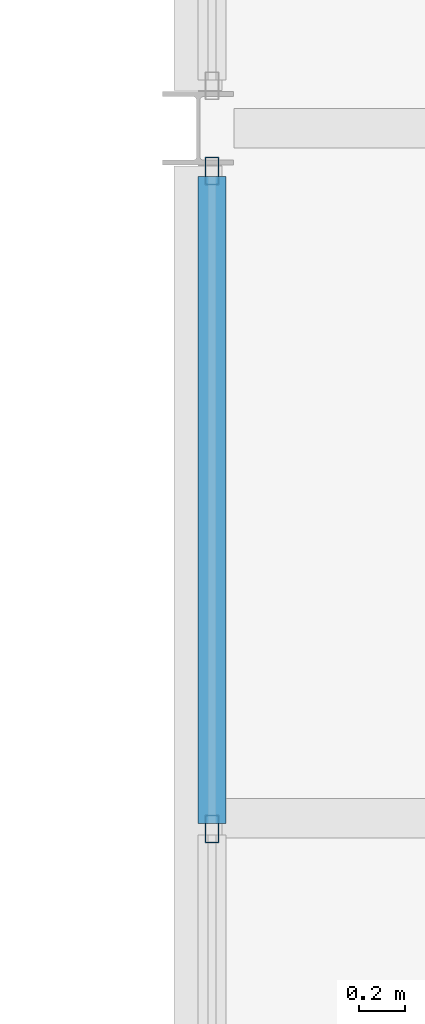
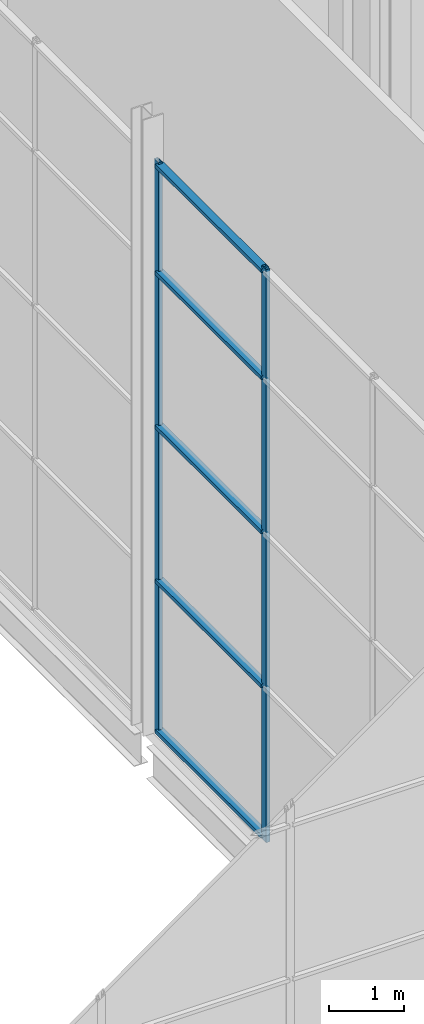
# One storey, part 54 of 111: 7 members, 1 element without a shape of its own.
"""IFC4 building model written with IfcOpenShell, lengths in metres."""

from ifc_helpers import new_model, si_unit, direction, frame, origin, origin_2d, place, context, subcontext, project, spatial, hollow_rectangle, extrude, material, layer, layer_set, material_profile, profile_set, type_object, element, aggregate, save


model = new_model("IFC4")

# Units and contexts
model_context = context("Model", 3, precision=1e-05, world=origin(), true_north=direction((0.0, 1.0)))
body_context = subcontext(model_context, "Body", "Model", "MODEL_VIEW")
ifc_project = project(units=[si_unit("LENGTHUNIT", "METRE"), si_unit("AREAUNIT", "SQUARE_METRE"), si_unit("VOLUMEUNIT", "CUBIC_METRE"), si_unit("PLANEANGLEUNIT", "RADIAN"), si_unit("MASSUNIT", "GRAM", prefix="KILO")], contexts=[model_context])

# Site, building, storey
site_placement = place(None, origin())
site = spatial("IfcSite", under=ifc_project, at=site_placement, CompositionType="ELEMENT")
building_placement = place(site_placement, origin())
building = spatial("IfcBuilding", under=site, at=building_placement, Name="Shorebreak Coast Museum", CompositionType="ELEMENT")
storey_placement = place(building_placement, frame((0.0, 0.0, 16.0)))
storey = spatial("IfcBuildingStorey", under=building, at=storey_placement, Name="L03", CompositionType="ELEMENT", Elevation=16.0)

# Curtain wall, members
ifc_material_1 = material(Name="Aluminium", Category="aluminium")
ifc_layer = layer(ifc_material_1, 0.1201171875)
ifc_layer_set = layer_set([ifc_layer], Name="Aluminium")
curtain_wall_type = type_object("IfcCurtainWallType", Name="Atrium fire screen", PredefinedType="NOTDEFINED", material=ifc_layer_set)
curtain_wall_placement = place(storey_placement, origin())
curtain_wall = element("IfcCurtainWall", 1, at=curtain_wall_placement, inside=storey, type_object=curtain_wall_type, Name="Atrium screen L03 E 47", PredefinedType="NOTDEFINED")
ifc_material_2 = material(Name="Aluminium", Category="aluminium")
ifc_material_profile_1 = material_profile(ifc_material_2, hollow_rectangle(XDim=0.06005859375, YDim=0.1201171875, WallThickness=0.00341796875, at=origin_2d()), Name="AL 120x60 RHS")
ifc_profile_set_1 = profile_set([ifc_material_profile_1], Name="Aluminium")
member_type_1 = type_object("IfcMemberType", Name="Screen mullion 50 x 120", PredefinedType="MULLION", material=ifc_profile_set_1)
member_1_placement = place(storey_placement, frame((108.06005859375, 68.95263671875, 0.0), z_axis=(0.0, 0.0, 1.0), x_axis=(-1.0, 0.0, 0.0)))
member_1 = element("IfcMember", 2, at=member_1_placement, type_object=member_type_1, Name="CW6 mullion 3", PredefinedType="MULLION", context=body_context, shape_type="SweptSolid", body=[
    extrude(hollow_rectangle(XDim=0.06005859375, YDim=0.1201171875, WallThickness=0.00341796875, at=origin_2d()), origin(), (0.0, 0.0, 1.0), 9.296875),
])
member_2_placement = place(storey_placement, frame((108.06005859375, 71.814697265625, 0.0), z_axis=(0.0, 0.0, 1.0), x_axis=(-1.0, 0.0, 0.0)))
member_2 = element("IfcMember", 3, at=member_2_placement, type_object=member_type_1, Name="CW6 mullion 4", PredefinedType="MULLION", context=body_context, shape_type="SweptSolid", body=[
    extrude(hollow_rectangle(XDim=0.06005859375, YDim=0.1201171875, WallThickness=0.00341796875, at=origin_2d()), origin(), (0.0, 0.0, 1.0), 9.296875),
])
ifc_material_3 = material(Name="Aluminium", Category="aluminium")
ifc_material_profile_2 = material_profile(ifc_material_3, hollow_rectangle(XDim=0.1201171875, YDim=0.06005859375, WallThickness=0.00341796875, at=origin_2d()), Name="AL 60x120 RHS")
ifc_profile_set_2 = profile_set([ifc_material_profile_2], Name="Aluminium")
member_type_2 = type_object("IfcMemberType", Name="Screen transom 120 x 50", PredefinedType="USERDEFINED", material=ifc_profile_set_2)
member_3_placement = place(storey_placement, frame((108.06005859375, 68.9775390625, 0.06005859375), z_axis=(0.0, 1.0, 0.0), x_axis=(-1.0, 0.0, 0.0)))
member_3 = element("IfcMember", 4, at=member_3_placement, type_object=member_type_2, Name="CW6 transom 3.1", ObjectType="TRANSOM", PredefinedType="USERDEFINED", context=body_context, shape_type="SweptSolid", body=[
    extrude(hollow_rectangle(XDim=0.1201171875, YDim=0.06005859375, WallThickness=0.00341796875, at=origin_2d()), origin(), (0.0, 0.0, 1.0), 2.812255859375),
])
member_4_placement = place(storey_placement, frame((108.06005859375, 68.9775390625, 2.5), z_axis=(0.0, 1.0, 0.0), x_axis=(-1.0, 0.0, 0.0)))
member_4 = element("IfcMember", 5, at=member_4_placement, type_object=member_type_2, Name="CW6 transom 3.2", ObjectType="TRANSOM", PredefinedType="USERDEFINED", context=body_context, shape_type="SweptSolid", body=[
    extrude(hollow_rectangle(XDim=0.1201171875, YDim=0.06005859375, WallThickness=0.00341796875, at=origin_2d()), origin(), (0.0, 0.0, 1.0), 2.812255859375),
])
member_5_placement = place(storey_placement, frame((108.06005859375, 68.9775390625, 5.0), z_axis=(0.0, 1.0, 0.0), x_axis=(-1.0, 0.0, 0.0)))
member_5 = element("IfcMember", 6, at=member_5_placement, type_object=member_type_2, Name="CW6 transom 3.3", ObjectType="TRANSOM", PredefinedType="USERDEFINED", context=body_context, shape_type="SweptSolid", body=[
    extrude(hollow_rectangle(XDim=0.1201171875, YDim=0.06005859375, WallThickness=0.00341796875, at=origin_2d()), origin(), (0.0, 0.0, 1.0), 2.812255859375),
])
member_6_placement = place(storey_placement, frame((108.06005859375, 68.9775390625, 7.5), z_axis=(0.0, 1.0, 0.0), x_axis=(-1.0, 0.0, 0.0)))
member_6 = element("IfcMember", 7, at=member_6_placement, type_object=member_type_2, Name="CW6 transom 3.4", ObjectType="TRANSOM", PredefinedType="USERDEFINED", context=body_context, shape_type="SweptSolid", body=[
    extrude(hollow_rectangle(XDim=0.1201171875, YDim=0.06005859375, WallThickness=0.00341796875, at=origin_2d()), origin(), (0.0, 0.0, 1.0), 2.812255859375),
])
member_7_placement = place(storey_placement, frame((108.06005859375, 68.9775390625, 9.23681640625), z_axis=(0.0, 1.0, 0.0), x_axis=(-1.0, 0.0, 0.0)))
member_7 = element("IfcMember", 8, at=member_7_placement, type_object=member_type_2, Name="CW6 transom 3.5", ObjectType="TRANSOM", PredefinedType="USERDEFINED", context=body_context, shape_type="SweptSolid", body=[
    extrude(hollow_rectangle(XDim=0.1201171875, YDim=0.06005859375, WallThickness=0.00341796875, at=origin_2d()), origin(), (0.0, 0.0, 1.0), 2.812255859375),
])
aggregate(curtain_wall, [member_1, member_2, member_3, member_4, member_5, member_6, member_7])

save(model, "model.ifc")
